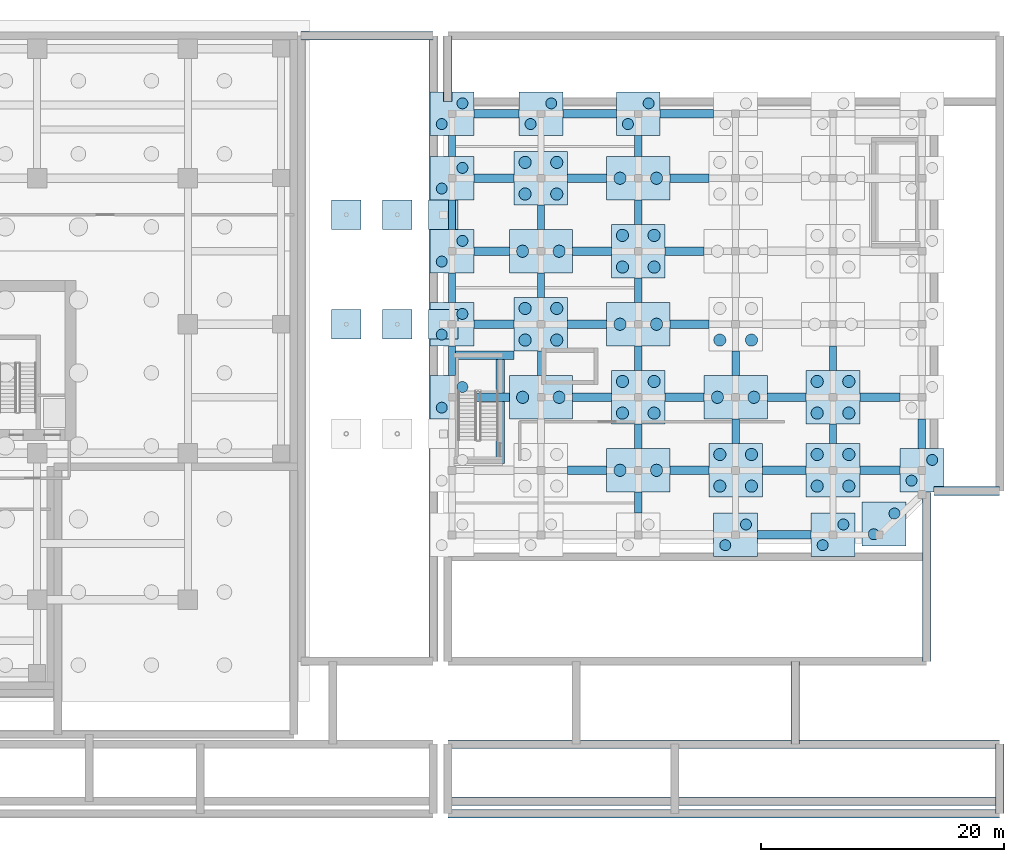
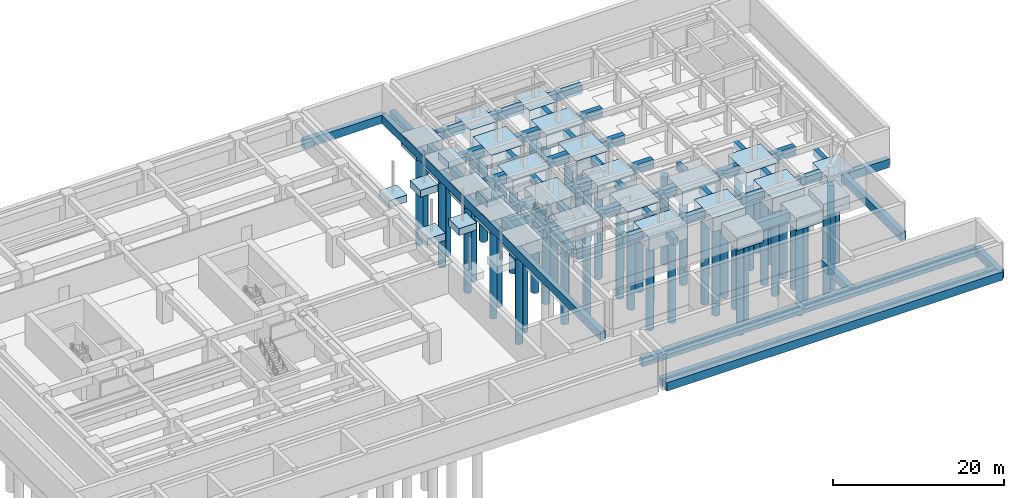
# One storey, part 2 of 14: 82 footings, 64 piles.
"""IFC4 building model written with IfcOpenShell, lengths in metres."""

import ifcopenshell
import ifcopenshell.guid

model = None  # the IFC model being written
_history = None  # IfcOwnerHistory: only IFC2X3 demands one
_inside = {}  # id of a spatial element -> (the spatial element, [elements in it])
_under = {}  # id of a project, library or spatial element -> (it, [spatial elements below it])
_declared = {}  # id of a project -> (the project, [libraries it declares])
_typed = {}  # id of a type object -> (the type object, [elements of that type])
_made_of = {}  # id of a material, layer set ... -> (it, [elements and type objects made of it])


def new_model(schema):
    """Start an empty IFC model of exactly this schema.

    Asked for "IFC4X3", IfcOpenShell would pick the latest addendum, in which some entities
    have other attributes; the version numbers below select the first issue.
    IFC2X3 requires an IfcOwnerHistory on every rooted entity: one is made here for all.
    """
    global model, _history
    if schema == "IFC4X3":
        model = ifcopenshell.file(schema_version=(4, 3, 0, 0))
    else:
        model = ifcopenshell.file(schema=schema)
    _inside.clear()
    _under.clear()
    _declared.clear()
    _typed.clear()
    _made_of.clear()
    _history = None
    if model.schema == "IFC2X3":
        org = make("IfcOrganization", Name="unknown")
        user = make(
            "IfcPersonAndOrganization",
            ThePerson=make("IfcPerson", FamilyName="unknown"),
            TheOrganization=org,
        )
        app = make(
            "IfcApplication",
            ApplicationDeveloper=org,
            Version="unknown",
            ApplicationFullName="unknown",
            ApplicationIdentifier="unknown",
        )
        _history = make(
            "IfcOwnerHistory",
            OwningUser=user,
            OwningApplication=app,
            ChangeAction="ADDED",
            CreationDate=0,
        )
    return model


def make(cls, **values):
    """One entity of the class cls with the attributes given. An attribute that is None is left unset."""
    return model.create_entity(
        cls, **{name: value for name, value in values.items() if value is not None}
    )


def rooted(cls, **values):
    """An entity with a GlobalId (a new one), such as an element, a storey or a relation."""
    return make(cls, GlobalId=ifcopenshell.guid.new(), OwnerHistory=_history, **values)


def si_unit(unit_type, name, prefix=None):
    """IfcSIUnit, for example si_unit("LENGTHUNIT", "METRE", prefix="MILLI")."""
    return make("IfcSIUnit", UnitType=unit_type, Prefix=prefix, Name=name)


def assignment(units):
    """IfcUnitAssignment: the units of a project."""
    return None if units is None else make("IfcUnitAssignment", Units=units)


def point(xyz):
    """IfcCartesianPoint."""
    return None if xyz is None else make("IfcCartesianPoint", Coordinates=xyz)


def direction(xyz):
    """IfcDirection."""
    return None if xyz is None else make("IfcDirection", DirectionRatios=xyz)


def frame(location, z_axis=None, x_axis=None):
    """IfcAxis2Placement3D, a coordinate frame: its origin and axes. An axis left out is left unset."""
    return make(
        "IfcAxis2Placement3D",
        Location=point(location),
        Axis=direction(z_axis),
        RefDirection=direction(x_axis),
    )


def frame_2d(location, x_axis=None):
    """IfcAxis2Placement2D, a coordinate frame in the plane: its origin and x axis."""
    return make(
        "IfcAxis2Placement2D", Location=point(location), RefDirection=direction(x_axis)
    )


def origin():
    """The frame at (0, 0, 0) with its axes left unset."""
    return frame((0.0, 0.0, 0.0))


def origin_2d():
    """The frame at (0, 0) in the plane with its x axis left unset."""
    return frame_2d((0.0, 0.0))


def place(relative_to, where):
    """IfcLocalPlacement: puts the frame where relative to a parent placement (None: the world)."""
    return make(
        "IfcLocalPlacement", PlacementRelTo=relative_to, RelativePlacement=where
    )


def context(
    kind, dimensions, precision=None, world=None, true_north=None, identifier=None
):
    """IfcGeometricRepresentationContext, for example the 3D "Model" context."""
    return make(
        "IfcGeometricRepresentationContext",
        ContextIdentifier=identifier,
        ContextType=kind,
        CoordinateSpaceDimension=dimensions,
        Precision=precision,
        WorldCoordinateSystem=world,
        TrueNorth=true_north,
    )


def subcontext(parent, identifier, kind, view, scale=None):
    """IfcGeometricRepresentationSubContext, for example "Body" below "Model"."""
    return make(
        "IfcGeometricRepresentationSubContext",
        ContextIdentifier=identifier,
        ContextType=kind,
        ParentContext=parent,
        TargetScale=scale,
        TargetView=view,
    )


def project(units=None, contexts=None):
    """IfcProject with its units and contexts."""
    return rooted(
        "IfcProject",
        Name="project",
        RepresentationContexts=contexts,
        UnitsInContext=assignment(units),
    )


def spatial(cls, under=None, at=None, **own):
    """A site, building, storey or space (cls), placed at a placement, below another one or the project."""
    s = rooted(cls, ObjectPlacement=at, **own)
    if under is not None:
        _under.setdefault(under.id(), (under, []))[1].append(s)
    return s


def profile(cls, at=None, kind="AREA", **sizes):
    """A parametric profile (cls). Its sizes go by their IFC names, for example OverallWidth=200.0."""
    return make(cls, ProfileType=kind, Position=at, **sizes)


def rectangle(**sizes):
    """IfcRectangleProfileDef."""
    return profile("IfcRectangleProfileDef", **sizes)


def circle(**sizes):
    """IfcCircleProfileDef."""
    return profile("IfcCircleProfileDef", **sizes)


def extrude(swept, where, along, depth):
    """IfcExtrudedAreaSolid: the profile swept, set in the frame where, extruded along a direction by depth."""
    return make(
        "IfcExtrudedAreaSolid",
        SweptArea=swept,
        Position=where,
        ExtrudedDirection=direction(along),
        Depth=depth,
    )


def shape(context_of_items, identifier, shape_type, items):
    """IfcShapeRepresentation: the items that make up one representation, for example the "Body"."""
    return make(
        "IfcShapeRepresentation",
        ContextOfItems=context_of_items,
        RepresentationIdentifier=identifier,
        RepresentationType=shape_type,
        Items=items,
    )


def source(mapping_origin, context_of_items, identifier, shape_type, items):
    """IfcRepresentationMap: a shape defined once, which mapped items show again and again."""
    return make(
        "IfcRepresentationMap",
        MappingOrigin=mapping_origin,
        MappedRepresentation=shape(context_of_items, identifier, shape_type, items),
    )


def transform(
    local_origin,
    x_axis=None,
    y_axis=None,
    z_axis=None,
    scale=None,
    scale2=None,
    scale3=None,
    uniform=True,
):
    """IfcCartesianTransformationOperator3D, or its non-uniform kind. x_axis, y_axis, z_axis: its Axis1, 2, 3."""
    if uniform:
        return make(
            "IfcCartesianTransformationOperator3D",
            Axis1=direction(x_axis),
            Axis2=direction(y_axis),
            LocalOrigin=point(local_origin),
            Scale=scale,
            Axis3=direction(z_axis),
        )
    return make(
        "IfcCartesianTransformationOperator3DnonUniform",
        Axis1=direction(x_axis),
        Axis2=direction(y_axis),
        LocalOrigin=point(local_origin),
        Scale=scale,
        Axis3=direction(z_axis),
        Scale2=scale2,
        Scale3=scale3,
    )


def mapped(mapping_source, mapping_target):
    """IfcMappedItem: shows the shape of a source again, moved by a transform."""
    return make(
        "IfcMappedItem", MappingSource=mapping_source, MappingTarget=mapping_target
    )


def material(Name=None, Category=None):
    """IfcMaterial."""
    return make("IfcMaterial", Name=Name, Category=Category)


def material_profile(
    of_material, cross_section, Name=None, Category=None, Priority=None
):
    """IfcMaterialProfile: a cross section and its material."""
    return make(
        "IfcMaterialProfile",
        Name=Name,
        Material=of_material,
        Profile=cross_section,
        Priority=Priority,
        Category=Category,
    )


def profile_set(profiles, Name=None, composite=None):
    """IfcMaterialProfileSet."""
    return make(
        "IfcMaterialProfileSet",
        Name=Name,
        MaterialProfiles=profiles,
        CompositeProfile=composite,
    )


def made_of(thing, what):
    """Note that an element or type object is made of a material, layer set ...; save() writes the relation."""
    if what is not None:
        _made_of.setdefault(what.id(), (what, []))[1].append(thing)
    return thing


def type_object(cls, material=None, **own):
    """A type object (cls), such as IfcWallType, which elements share."""
    return made_of(rooted(cls, **own), material)


def element(
    cls,
    number,
    at=None,
    inside=None,
    cuts=None,
    type_object=None,
    material=None,
    context=None,
    identifier="Body",
    shape_type=None,
    held_by="IfcProductDefinitionShape",
    body=None,
    shapes=None,
    **own,
):
    """One element of the class cls, such as IfcWall. Its Tag is "e" and its number.

    at: its placement. inside: the storey or other place that contains it. cuts: it is an
    opening in that element (IfcRelVoidsElement). A single representation is given by context,
    identifier, shape_type and body (its items); several are given by shapes. held_by: the class
    of the entity that holds the representations. save() writes the other relations.
    """
    e = rooted(cls, Tag="e%d" % number, ObjectPlacement=at, **own)
    if body is not None:
        shapes = [shape(context, identifier, shape_type, body)]
    if shapes is not None:
        e.Representation = make(held_by, Representations=shapes)
    if inside is not None:
        _inside.setdefault(inside.id(), (inside, []))[1].append(e)
    if cuts is not None:
        rooted(
            "IfcRelVoidsElement", RelatingBuildingElement=cuts, RelatedOpeningElement=e
        )
    if type_object is not None:
        _typed.setdefault(type_object.id(), (type_object, []))[1].append(e)
    return made_of(e, material)


def aggregate(whole, parts):
    """IfcRelAggregates: a whole, such as a stair, and the parts it consists of."""
    return rooted("IfcRelAggregates", RelatingObject=whole, RelatedObjects=parts)


def save(model, path):
    """Write the relations noted so far, then the file.

    IfcRelAggregates (storeys below a building ...), IfcRelContainedInSpatialStructure (elements
    in a storey), IfcRelDefinesByType, IfcRelAssociatesMaterial and IfcRelDeclares: one each for
    every whole, place, type object, material and project.
    """
    for whole, parts in _under.values():
        aggregate(whole, parts)
    for where, things in _inside.values():
        rooted(
            "IfcRelContainedInSpatialStructure",
            RelatedElements=things,
            RelatingStructure=where,
        )
    for kind, things in _typed.values():
        rooted("IfcRelDefinesByType", RelatedObjects=things, RelatingType=kind)
    for what, things in _made_of.values():
        rooted("IfcRelAssociatesMaterial", RelatedObjects=things, RelatingMaterial=what)
    for by, libraries in _declared.values():
        rooted("IfcRelDeclares", RelatingContext=by, RelatedDefinitions=libraries)
    model.write(path)


model = new_model("IFC4")

# Units and contexts
model_context = context("Model", 3, precision=1e-05, world=origin(), true_north=direction((0.0, 1.0)))
body_context = subcontext(model_context, "Body", "Model", "MODEL_VIEW")
ifc_project = project(units=[si_unit("LENGTHUNIT", "METRE"), si_unit("AREAUNIT", "SQUARE_METRE"), si_unit("VOLUMEUNIT", "CUBIC_METRE"), si_unit("PLANEANGLEUNIT", "RADIAN"), si_unit("MASSUNIT", "GRAM", prefix="KILO")], contexts=[model_context])

# Site, building, storey
site_placement = place(None, origin())
site = spatial("IfcSite", under=ifc_project, at=site_placement, CompositionType="ELEMENT")
building_placement = place(site_placement, origin())
building = spatial("IfcBuilding", under=site, at=building_placement, Name="Khoralis Quay Care Tower", CompositionType="ELEMENT")
storey_placement = place(building_placement, frame((0.0, 0.0, -4.5)))
storey = spatial("IfcBuildingStorey", under=building, at=storey_placement, Name="B1", CompositionType="ELEMENT", Elevation=-4.5)

# Footings
ifc_material = material(Name="Concrete C50/60", Category="concrete")
footing_type_1 = type_object("IfcFootingType", Name="FT-PC-3600", PredefinedType="PILE_CAP", material=ifc_material)
shared_shape_1 = source(origin(), body_context, "Body", "SweptSolid", [
    extrude(rectangle(XDim=3.60009765625, YDim=3.60009765625, at=origin_2d()), origin(), (0.0, 0.0, 1.0), 1.800048828125),
])
for number, where, z_axis, x_axis, name in (
    (1, (68.699951171875, 18.0, -1.7998046875), (0.0, 0.0, 1.0), (1.0, 0.0, 0.0), "School Pile Cap 03"),
    (2, (68.699951171875, 24.0, -1.7998046875), (0.0, 0.0, 1.0), (1.0, 0.0, 0.0), "School Pile Cap 04"),
    (3, (68.699951171875, 30.0, -1.7998046875), (0.0, 0.0, 1.0), (1.0, 0.0, 0.0), "School Pile Cap 05"),
    (4, (68.699951171875, 36.0, -1.7998046875), (0.0, 0.0, 1.0), (1.0, 0.0, 0.0), "School Pile Cap 06"),
    (5, (68.699951171875, 41.300048828125, -1.7998046875), (0.0, 0.0, 1.0), (1.0, 0.0, 0.0), "School Pile Cap 07"),
    (6, (76.0, 41.300048828125, -1.7998046875), (0.0, 0.0, 1.0), (1.0, 0.0, 0.0), "School Pile Cap 14"),
    (7, (84.0, 41.300048828125, -1.7998046875), (0.0, 0.0, 1.0), (1.0, 0.0, 0.0), "School Pile Cap 21"),
    (8, (92.0, 6.699951171875, -1.7998046875), (0.0, 0.0, 1.0), (1.0, 0.0, 0.0), "School Pile Cap 22"),
    (9, (100.0, 6.699951171875, -1.7998046875), (0.0, 0.0, 1.0), (1.0, 0.0, 0.0), "School Pile Cap 29"),
    (10, (104.199951171875, 7.60009765625, -1.7998046875), (0.0, 0.0, 1.0), (1.0, 0.0, 0.0), "School Pile Cap 36"),
    (11, (107.300048828125, 12.0, -1.7998046875), (0.0, 0.0, 1.0), (1.0, 0.0, 0.0), "School Pile Cap 37"),
):
    element("IfcFooting", number, at=place(storey_placement, frame(where, z_axis=z_axis, x_axis=x_axis)), inside=storey, type_object=footing_type_1, Name=name, PredefinedType="PILE_CAP", context=body_context, shape_type="MappedRepresentation", body=[
        mapped(shared_shape_1, transform((0.0, 0.0, 0.0), scale=1.0)),
    ])

# Piles
ifc_material_profile_1 = material_profile(ifc_material, circle(Radius=0.449951171875, at=origin_2d()), Name="Concrete C50/60")
ifc_profile_set_1 = profile_set([ifc_material_profile_1], Name="Concrete C50/60")
pile_type_1 = type_object("IfcPileType", Name="PL-BORED-900", PredefinedType="BORED", material=ifc_profile_set_1)
shared_shape_2 = source(origin(), body_context, "Body", "SweptSolid", [
    extrude(circle(Radius=0.449951171875, at=origin_2d()), origin(), (0.0, 0.0, 1.0), 12.800048828125),
])
for number, where, z_axis, x_axis, name in (
    (12, (67.85009765625, 17.14990234375, -1.699951171875), (0.0, 0.0, -1.0), (1.0, 0.0, 0.0), "School Bored Pile 005"),
    (13, (69.550048828125, 18.85009765625, -1.699951171875), (0.0, 0.0, -1.0), (1.0, 0.0, 0.0), "School Bored Pile 006"),
    (14, (67.85009765625, 23.14990234375, -1.699951171875), (0.0, 0.0, -1.0), (1.0, 0.0, 0.0), "School Bored Pile 007"),
    (15, (69.550048828125, 24.85009765625, -1.699951171875), (0.0, 0.0, -1.0), (1.0, 0.0, 0.0), "School Bored Pile 008"),
    (16, (67.85009765625, 29.14990234375, -1.699951171875), (0.0, 0.0, -1.0), (1.0, 0.0, 0.0), "School Bored Pile 009"),
    (17, (69.550048828125, 30.85009765625, -1.699951171875), (0.0, 0.0, -1.0), (1.0, 0.0, 0.0), "School Bored Pile 010"),
    (18, (67.85009765625, 35.14990234375, -1.699951171875), (0.0, 0.0, -1.0), (1.0, 0.0, 0.0), "School Bored Pile 011"),
    (19, (69.550048828125, 36.85009765625, -1.699951171875), (0.0, 0.0, -1.0), (1.0, 0.0, 0.0), "School Bored Pile 012"),
    (20, (67.85009765625, 40.449951171875, -1.699951171875), (0.0, 0.0, -1.0), (1.0, 0.0, 0.0), "School Bored Pile 013"),
    (21, (69.550048828125, 42.14990234375, -1.699951171875), (0.0, 0.0, -1.0), (1.0, 0.0, 0.0), "School Bored Pile 014"),
    (22, (75.14990234375, 40.449951171875, -1.699951171875), (0.0, 0.0, -1.0), (1.0, 0.0, 0.0), "School Bored Pile 033"),
    (23, (76.85009765625, 42.14990234375, -1.699951171875), (0.0, 0.0, -1.0), (1.0, 0.0, 0.0), "School Bored Pile 034"),
    (24, (83.14990234375, 40.449951171875, -1.699951171875), (0.0, 0.0, -1.0), (1.0, 0.0, 0.0), "School Bored Pile 051"),
    (25, (84.85009765625, 42.14990234375, -1.699951171875), (0.0, 0.0, -1.0), (1.0, 0.0, 0.0), "School Bored Pile 052"),
    (26, (91.14990234375, 5.85009765625, -1.699951171875), (0.0, 0.0, -1.0), (1.0, 0.0, 0.0), "School Bored Pile 053"),
    (27, (92.85009765625, 7.550048828125, -1.699951171875), (0.0, 0.0, -1.0), (1.0, 0.0, 0.0), "School Bored Pile 054"),
    (28, (99.14990234375, 5.85009765625, -1.699951171875), (0.0, 0.0, -1.0), (1.0, 0.0, 0.0), "School Bored Pile 073"),
    (29, (100.85009765625, 7.550048828125, -1.699951171875), (0.0, 0.0, -1.0), (1.0, 0.0, 0.0), "School Bored Pile 074"),
    (30, (103.35009765625, 6.75, -1.699951171875), (0.0, 0.0, -1.0), (1.0, 0.0, 0.0), "School Bored Pile 093"),
    (31, (105.050048828125, 8.449951171875, -1.699951171875), (0.0, 0.0, -1.0), (1.0, 0.0, 0.0), "School Bored Pile 094"),
    (32, (106.449951171875, 11.14990234375, -1.699951171875), (0.0, 0.0, -1.0), (1.0, 0.0, 0.0), "School Bored Pile 095"),
    (33, (108.14990234375, 12.85009765625, -1.699951171875), (0.0, 0.0, -1.0), (1.0, 0.0, 0.0), "School Bored Pile 096"),
):
    element("IfcPile", number, at=place(storey_placement, frame(where, z_axis=z_axis, x_axis=x_axis)), inside=storey, type_object=pile_type_1, Name=name, PredefinedType="BORED", context=body_context, shape_type="MappedRepresentation", body=[
        mapped(shared_shape_2, transform((0.0, 0.0, 0.0), scale=1.0)),
    ])

# Footings
footing_type_2 = type_object("IfcFootingType", Name="FT-PC-4400", PredefinedType="PILE_CAP", material=ifc_material)
shared_shape_3 = source(origin(), body_context, "Body", "SweptSolid", [
    extrude(rectangle(XDim=4.39990234375, YDim=4.39990234375, at=origin_2d()), origin(), (0.0, 0.0, 1.0), 2.0),
])
for number, where, z_axis, x_axis, name in (
    (34, (76.0, 24.0, -2.0), (0.0, 0.0, 1.0), (1.0, 0.0, 0.0), "School Pile Cap 11"),
    (35, (76.0, 36.0, -2.0), (0.0, 0.0, 1.0), (1.0, 0.0, 0.0), "School Pile Cap 13"),
    (36, (84.0, 18.0, -2.0), (0.0, 0.0, 1.0), (1.0, 0.0, 0.0), "School Pile Cap 17"),
    (37, (84.0, 30.0, -2.0), (0.0, 0.0, 1.0), (1.0, 0.0, 0.0), "School Pile Cap 19"),
    (38, (92.0, 12.0, -2.0), (0.0, 0.0, 1.0), (1.0, 0.0, 0.0), "School Pile Cap 23"),
    (39, (100.0, 12.0, -2.0), (0.0, 0.0, 1.0), (1.0, 0.0, 0.0), "School Pile Cap 30"),
    (40, (100.0, 18.0, -2.0), (0.0, 0.0, 1.0), (1.0, 0.0, 0.0), "School Pile Cap 31"),
):
    element("IfcFooting", number, at=place(storey_placement, frame(where, z_axis=z_axis, x_axis=x_axis)), inside=storey, type_object=footing_type_2, Name=name, PredefinedType="PILE_CAP", context=body_context, shape_type="MappedRepresentation", body=[
        mapped(shared_shape_3, transform((0.0, 0.0, 0.0), scale=1.0)),
    ])

# Piles
ifc_material_profile_2 = material_profile(ifc_material, circle(Radius=0.5, at=origin_2d()), Name="Concrete C50/60")
ifc_profile_set_2 = profile_set([ifc_material_profile_2], Name="Concrete C50/60")
pile_type_2 = type_object("IfcPileType", Name="PL-BORED-1000", PredefinedType="BORED", material=ifc_profile_set_2)
shared_shape_4 = source(origin(), body_context, "Body", "SweptSolid", [
    extrude(circle(Radius=0.5, at=origin_2d()), origin(), (0.0, 0.0, 1.0), 12.60009765625),
])
for number, where, z_axis, x_axis, name in (
    (41, (74.5, 18.0, -1.89990234375), (0.0, 0.0, -1.0), (1.0, 0.0, 0.0), "School Bored Pile 021"),
    (42, (77.5, 18.0, -1.89990234375), (0.0, 0.0, -1.0), (1.0, 0.0, 0.0), "School Bored Pile 022"),
    (43, (74.699951171875, 22.699951171875, -1.89990234375), (0.0, 0.0, -1.0), (1.0, 0.0, 0.0), "School Bored Pile 023"),
    (44, (77.300048828125, 22.699951171875, -1.89990234375), (0.0, 0.0, -1.0), (1.0, 0.0, 0.0), "School Bored Pile 024"),
    (45, (74.699951171875, 25.300048828125, -1.89990234375), (0.0, 0.0, -1.0), (1.0, 0.0, 0.0), "School Bored Pile 025"),
    (46, (77.300048828125, 25.300048828125, -1.89990234375), (0.0, 0.0, -1.0), (1.0, 0.0, 0.0), "School Bored Pile 026"),
    (47, (74.5, 30.0, -1.89990234375), (0.0, 0.0, -1.0), (1.0, 0.0, 0.0), "School Bored Pile 027"),
    (48, (77.5, 30.0, -1.89990234375), (0.0, 0.0, -1.0), (1.0, 0.0, 0.0), "School Bored Pile 028"),
    (49, (74.699951171875, 34.699951171875, -1.89990234375), (0.0, 0.0, -1.0), (1.0, 0.0, 0.0), "School Bored Pile 029"),
    (50, (77.300048828125, 34.699951171875, -1.89990234375), (0.0, 0.0, -1.0), (1.0, 0.0, 0.0), "School Bored Pile 030"),
    (51, (74.699951171875, 37.300048828125, -1.89990234375), (0.0, 0.0, -1.0), (1.0, 0.0, 0.0), "School Bored Pile 031"),
    (52, (77.300048828125, 37.300048828125, -1.89990234375), (0.0, 0.0, -1.0), (1.0, 0.0, 0.0), "School Bored Pile 032"),
    (53, (82.5, 12.0, -1.89990234375), (0.0, 0.0, -1.0), (1.0, 0.0, 0.0), "School Bored Pile 037"),
    (54, (85.5, 12.0, -1.89990234375), (0.0, 0.0, -1.0), (1.0, 0.0, 0.0), "School Bored Pile 038"),
    (55, (82.699951171875, 16.699951171875, -1.89990234375), (0.0, 0.0, -1.0), (1.0, 0.0, 0.0), "School Bored Pile 039"),
    (56, (85.300048828125, 16.699951171875, -1.89990234375), (0.0, 0.0, -1.0), (1.0, 0.0, 0.0), "School Bored Pile 040"),
    (57, (82.699951171875, 19.300048828125, -1.89990234375), (0.0, 0.0, -1.0), (1.0, 0.0, 0.0), "School Bored Pile 041"),
    (58, (85.300048828125, 19.300048828125, -1.89990234375), (0.0, 0.0, -1.0), (1.0, 0.0, 0.0), "School Bored Pile 042"),
    (59, (82.5, 24.0, -1.89990234375), (0.0, 0.0, -1.0), (1.0, 0.0, 0.0), "School Bored Pile 043"),
    (60, (85.5, 24.0, -1.89990234375), (0.0, 0.0, -1.0), (1.0, 0.0, 0.0), "School Bored Pile 044"),
    (61, (82.699951171875, 28.699951171875, -1.89990234375), (0.0, 0.0, -1.0), (1.0, 0.0, 0.0), "School Bored Pile 045"),
    (62, (85.300048828125, 28.699951171875, -1.89990234375), (0.0, 0.0, -1.0), (1.0, 0.0, 0.0), "School Bored Pile 046"),
    (63, (82.699951171875, 31.300048828125, -1.89990234375), (0.0, 0.0, -1.0), (1.0, 0.0, 0.0), "School Bored Pile 047"),
    (64, (85.300048828125, 31.300048828125, -1.89990234375), (0.0, 0.0, -1.0), (1.0, 0.0, 0.0), "School Bored Pile 048"),
    (65, (82.5, 36.0, -1.89990234375), (0.0, 0.0, -1.0), (1.0, 0.0, 0.0), "School Bored Pile 049"),
    (66, (85.5, 36.0, -1.89990234375), (0.0, 0.0, -1.0), (1.0, 0.0, 0.0), "School Bored Pile 050"),
    (67, (90.699951171875, 10.699951171875, -1.89990234375), (0.0, 0.0, -1.0), (1.0, 0.0, 0.0), "School Bored Pile 055"),
    (68, (93.300048828125, 10.699951171875, -1.89990234375), (0.0, 0.0, -1.0), (1.0, 0.0, 0.0), "School Bored Pile 056"),
    (69, (90.699951171875, 13.300048828125, -1.89990234375), (0.0, 0.0, -1.0), (1.0, 0.0, 0.0), "School Bored Pile 057"),
    (70, (93.300048828125, 13.300048828125, -1.89990234375), (0.0, 0.0, -1.0), (1.0, 0.0, 0.0), "School Bored Pile 058"),
    (71, (90.5, 18.0, -1.89990234375), (0.0, 0.0, -1.0), (1.0, 0.0, 0.0), "School Bored Pile 059"),
    (72, (93.5, 18.0, -1.89990234375), (0.0, 0.0, -1.0), (1.0, 0.0, 0.0), "School Bored Pile 060"),
    (73, (90.699951171875, 22.699951171875, -1.89990234375), (0.0, 0.0, -1.0), (1.0, 0.0, 0.0), "School Bored Pile 061"),
    (74, (93.300048828125, 22.699951171875, -1.89990234375), (0.0, 0.0, -1.0), (1.0, 0.0, 0.0), "School Bored Pile 062"),
    (75, (98.699951171875, 10.699951171875, -1.89990234375), (0.0, 0.0, -1.0), (1.0, 0.0, 0.0), "School Bored Pile 075"),
    (76, (101.300048828125, 10.699951171875, -1.89990234375), (0.0, 0.0, -1.0), (1.0, 0.0, 0.0), "School Bored Pile 076"),
    (77, (98.699951171875, 13.300048828125, -1.89990234375), (0.0, 0.0, -1.0), (1.0, 0.0, 0.0), "School Bored Pile 077"),
    (78, (101.300048828125, 13.300048828125, -1.89990234375), (0.0, 0.0, -1.0), (1.0, 0.0, 0.0), "School Bored Pile 078"),
    (79, (98.699951171875, 16.699951171875, -1.89990234375), (0.0, 0.0, -1.0), (1.0, 0.0, 0.0), "School Bored Pile 079"),
    (80, (101.300048828125, 16.699951171875, -1.89990234375), (0.0, 0.0, -1.0), (1.0, 0.0, 0.0), "School Bored Pile 080"),
    (81, (98.699951171875, 19.300048828125, -1.89990234375), (0.0, 0.0, -1.0), (1.0, 0.0, 0.0), "School Bored Pile 081"),
    (82, (101.300048828125, 19.300048828125, -1.89990234375), (0.0, 0.0, -1.0), (1.0, 0.0, 0.0), "School Bored Pile 082"),
):
    element("IfcPile", number, at=place(storey_placement, frame(where, z_axis=z_axis, x_axis=x_axis)), inside=storey, type_object=pile_type_2, Name=name, PredefinedType="BORED", context=body_context, shape_type="MappedRepresentation", body=[
        mapped(shared_shape_4, transform((0.0, 0.0, 0.0), scale=1.0)),
    ])

# Footings
footing_type_3 = type_object("IfcFootingType", Name="FT-PC-5200X3600", PredefinedType="PILE_CAP", material=ifc_material)
shared_shape_5 = source(origin(), body_context, "Body", "SweptSolid", [
    extrude(rectangle(XDim=5.199951171875, YDim=3.60009765625, at=origin_2d()), origin(), (0.0, 0.0, 1.0), 2.0),
])
for number, where, z_axis, x_axis, name in (
    (83, (76.0, 18.0, -2.0), (0.0, 0.0, 1.0), (1.0, 0.0, 0.0), "School Pile Cap 10"),
    (84, (76.0, 30.0, -2.0), (0.0, 0.0, 1.0), (1.0, 0.0, 0.0), "School Pile Cap 12"),
    (85, (84.0, 12.0, -2.0), (0.0, 0.0, 1.0), (1.0, 0.0, 0.0), "School Pile Cap 16"),
    (86, (84.0, 24.0, -2.0), (0.0, 0.0, 1.0), (1.0, 0.0, 0.0), "School Pile Cap 18"),
    (87, (84.0, 36.0, -2.0), (0.0, 0.0, 1.0), (1.0, 0.0, 0.0), "School Pile Cap 20"),
    (88, (92.0, 18.0, -2.0), (0.0, 0.0, 1.0), (1.0, 0.0, 0.0), "School Pile Cap 24"),
):
    element("IfcFooting", number, at=place(storey_placement, frame(where, z_axis=z_axis, x_axis=x_axis)), inside=storey, type_object=footing_type_3, Name=name, PredefinedType="PILE_CAP", context=body_context, shape_type="MappedRepresentation", body=[
        mapped(shared_shape_5, transform((0.0, 0.0, 0.0), scale=1.0)),
    ])
ifc_material_profile_3 = material_profile(ifc_material, rectangle(XDim=0.699951171875, YDim=1.199951171875, at=origin_2d()), Name="Concrete C50/60")
ifc_profile_set_3 = profile_set([ifc_material_profile_3], Name="Concrete C50/60")
footing_type_4 = type_object("IfcFootingType", Name="FT-GB-700X1200", PredefinedType="FOOTING_BEAM", material=ifc_profile_set_3)
shared_shape_6 = source(origin(), body_context, "Body", "SweptSolid", [
    extrude(rectangle(XDim=0.699951171875, YDim=1.199951171875, at=origin_2d()), origin(), (0.0, 0.0, 1.0), 3.699951171875),
])
footing_1_placement = place(storey_placement, frame((70.5, 41.300048828125, -0.60009765625), z_axis=(1.0, 0.0, 0.0), x_axis=(0.0, 1.0, 0.0)))
element("IfcFooting", 89, at=footing_1_placement, inside=storey, type_object=footing_type_4, Name="School Longitudinal Ground Beam 030", PredefinedType="FOOTING_BEAM", context=body_context, shape_type="MappedRepresentation", body=[
    mapped(shared_shape_6, transform((0.0, 0.0, 0.0), scale=1.0)),
])
shared_shape_7 = source(origin(), body_context, "Body", "SweptSolid", [
    extrude(rectangle(XDim=0.699951171875, YDim=1.199951171875, at=origin_2d()), origin(), (0.0, 0.0, 1.0), 4.39990234375),
])
for number, where, z_axis, x_axis, name in (
    (90, (93.800048828125, 6.699951171875, -0.60009765625), (1.0, 0.0, 0.0), (0.0, 1.0, 0.0), "School Longitudinal Ground Beam 004"),
    (91, (77.800048828125, 41.300048828125, -0.60009765625), (1.0, 0.0, 0.0), (0.0, 1.0, 0.0), "School Longitudinal Ground Beam 031"),
    (92, (85.800048828125, 41.300048828125, -0.60009765625), (1.0, 0.0, 0.0), (0.0, 1.0, 0.0), "School Longitudinal Ground Beam 032"),
):
    element("IfcFooting", number, at=place(storey_placement, frame(where, z_axis=z_axis, x_axis=x_axis)), inside=storey, type_object=footing_type_4, Name=name, PredefinedType="FOOTING_BEAM", context=body_context, shape_type="MappedRepresentation", body=[
        mapped(shared_shape_7, transform((0.0, 0.0, 0.0), scale=1.0)),
    ])
shared_shape_8 = source(origin(), body_context, "Body", "SweptSolid", [
    extrude(rectangle(XDim=0.699951171875, YDim=1.199951171875, at=origin_2d()), origin(), (0.0, 0.0, 1.0), 3.300048828125),
])
for number, where, z_axis, x_axis, name in (
    (93, (102.199951171875, 12.0, -0.60009765625), (1.0, 0.0, 0.0), (0.0, 1.0, 0.0), "School Longitudinal Ground Beam 009"),
    (94, (102.199951171875, 18.0, -0.60009765625), (1.0, 0.0, 0.0), (0.0, 1.0, 0.0), "School Longitudinal Ground Beam 014"),
    (95, (70.5, 24.0, -0.60009765625), (1.0, 0.0, 0.0), (0.0, 1.0, 0.0), "School Longitudinal Ground Beam 015"),
    (96, (70.5, 36.0, -0.60009765625), (1.0, 0.0, 0.0), (0.0, 1.0, 0.0), "School Longitudinal Ground Beam 025"),
):
    element("IfcFooting", number, at=place(storey_placement, frame(where, z_axis=z_axis, x_axis=x_axis)), inside=storey, type_object=footing_type_4, Name=name, PredefinedType="FOOTING_BEAM", context=body_context, shape_type="MappedRepresentation", body=[
        mapped(shared_shape_8, transform((0.0, 0.0, 0.0), scale=1.0)),
    ])
shared_shape_9 = source(origin(), body_context, "Body", "SweptSolid", [
    extrude(rectangle(XDim=0.699951171875, YDim=1.199951171875, at=origin_2d()), origin(), (0.0, 0.0, 1.0), 3.199951171875),
])
for number, where, z_axis, x_axis, name in (
    (97, (78.199951171875, 12.0, -0.60009765625), (1.0, 0.0, 0.0), (0.0, 1.0, 0.0), "School Longitudinal Ground Beam 006"),
    (98, (86.60009765625, 12.0, -0.60009765625), (1.0, 0.0, 0.0), (0.0, 1.0, 0.0), "School Longitudinal Ground Beam 007"),
    (99, (78.60009765625, 18.0, -0.60009765625), (1.0, 0.0, 0.0), (0.0, 1.0, 0.0), "School Longitudinal Ground Beam 011"),
    (100, (86.199951171875, 18.0, -0.60009765625), (1.0, 0.0, 0.0), (0.0, 1.0, 0.0), "School Longitudinal Ground Beam 012"),
    (101, (94.60009765625, 18.0, -0.60009765625), (1.0, 0.0, 0.0), (0.0, 1.0, 0.0), "School Longitudinal Ground Beam 013"),
    (102, (78.199951171875, 24.0, -0.60009765625), (1.0, 0.0, 0.0), (0.0, 1.0, 0.0), "School Longitudinal Ground Beam 016"),
    (103, (86.60009765625, 24.0, -0.60009765625), (1.0, 0.0, 0.0), (0.0, 1.0, 0.0), "School Longitudinal Ground Beam 017"),
    (104, (78.60009765625, 30.0, -0.60009765625), (1.0, 0.0, 0.0), (0.0, 1.0, 0.0), "School Longitudinal Ground Beam 021"),
    (105, (86.199951171875, 30.0, -0.60009765625), (1.0, 0.0, 0.0), (0.0, 1.0, 0.0), "School Longitudinal Ground Beam 022"),
    (106, (78.199951171875, 36.0, -0.60009765625), (1.0, 0.0, 0.0), (0.0, 1.0, 0.0), "School Longitudinal Ground Beam 026"),
    (107, (86.60009765625, 36.0, -0.60009765625), (1.0, 0.0, 0.0), (0.0, 1.0, 0.0), "School Longitudinal Ground Beam 027"),
):
    element("IfcFooting", number, at=place(storey_placement, frame(where, z_axis=z_axis, x_axis=x_axis)), inside=storey, type_object=footing_type_4, Name=name, PredefinedType="FOOTING_BEAM", context=body_context, shape_type="MappedRepresentation", body=[
        mapped(shared_shape_9, transform((0.0, 0.0, 0.0), scale=1.0)),
    ])
shared_shape_10 = source(origin(), body_context, "Body", "SweptSolid", [
    extrude(rectangle(XDim=0.699951171875, YDim=1.199951171875, at=origin_2d()), origin(), (0.0, 0.0, 1.0), 3.60009765625),
])
footing_2_placement = place(storey_placement, frame((94.199951171875, 12.0, -0.60009765625), z_axis=(1.0, 0.0, 0.0), x_axis=(0.0, 1.0, 0.0)))
element("IfcFooting", 108, at=footing_2_placement, inside=storey, type_object=footing_type_4, Name="School Longitudinal Ground Beam 008", PredefinedType="FOOTING_BEAM", context=body_context, shape_type="MappedRepresentation", body=[
    mapped(shared_shape_10, transform((0.0, 0.0, 0.0), scale=1.0)),
])
shared_shape_11 = source(origin(), body_context, "Body", "SweptSolid", [
    extrude(rectangle(XDim=0.699951171875, YDim=1.199951171875, at=origin_2d()), origin(), (0.0, 0.0, 1.0), 2.89990234375),
])
for number, where, z_axis, x_axis, name in (
    (109, (70.5, 18.0, -0.60009765625), (1.0, 0.0, 0.0), (0.0, 1.0, 0.0), "School Longitudinal Ground Beam 010"),
    (110, (70.5, 30.0, -0.60009765625), (1.0, 0.0, 0.0), (0.0, 1.0, 0.0), "School Longitudinal Ground Beam 020"),
):
    element("IfcFooting", number, at=place(storey_placement, frame(where, z_axis=z_axis, x_axis=x_axis)), inside=storey, type_object=footing_type_4, Name=name, PredefinedType="FOOTING_BEAM", context=body_context, shape_type="MappedRepresentation", body=[
        mapped(shared_shape_11, transform((0.0, 0.0, 0.0), scale=1.0)),
    ])
ifc_material_profile_4 = material_profile(ifc_material, rectangle(XDim=0.60009765625, YDim=1.0, at=origin_2d()), Name="Concrete C50/60")
ifc_profile_set_4 = profile_set([ifc_material_profile_4], Name="Concrete C50/60")
footing_type_5 = type_object("IfcFootingType", Name="FT-GB-600X1000", PredefinedType="FOOTING_BEAM", material=ifc_profile_set_4)
shared_shape_12 = source(origin(), body_context, "Body", "SweptSolid", [
    extrude(rectangle(XDim=0.60009765625, YDim=1.0, at=origin_2d()), origin(), (0.0, 0.0, 1.0), 1.699951171875),
])
for number, where, z_axis, x_axis, name in (
    (111, (68.699951171875, 37.800048828125, -0.5), (0.0, 1.0, 0.0), (-1.0, 0.0, 0.0), "School Transverse Ground Beam 040"),
    (112, (84.0, 8.5, -0.5), (0.0, 1.0, 0.0), (-1.0, 0.0, 0.0), "School Transverse Ground Beam 045"),
    (113, (84.0, 37.800048828125, -0.5), (0.0, 1.0, 0.0), (-1.0, 0.0, 0.0), "School Transverse Ground Beam 050"),
):
    element("IfcFooting", number, at=place(storey_placement, frame(where, z_axis=z_axis, x_axis=x_axis)), inside=storey, type_object=footing_type_5, Name=name, PredefinedType="FOOTING_BEAM", context=body_context, shape_type="MappedRepresentation", body=[
        mapped(shared_shape_12, transform((0.0, 0.0, 0.0), scale=1.0)),
    ])
shared_shape_13 = source(origin(), body_context, "Body", "SweptSolid", [
    extrude(rectangle(XDim=0.60009765625, YDim=1.0, at=origin_2d()), origin(), (0.0, 0.0, 1.0), 2.39990234375),
])
for number, where, z_axis, x_axis, name in (
    (114, (68.699951171875, 19.800048828125, -0.5), (0.0, 1.0, 0.0), (-1.0, 0.0, 0.0), "School Transverse Ground Beam 037"),
    (115, (68.699951171875, 25.800048828125, -0.5), (0.0, 1.0, 0.0), (-1.0, 0.0, 0.0), "School Transverse Ground Beam 038"),
    (116, (68.699951171875, 31.800048828125, -0.5), (0.0, 1.0, 0.0), (-1.0, 0.0, 0.0), "School Transverse Ground Beam 039"),
    (117, (107.300048828125, 13.800048828125, -0.5), (0.0, 1.0, 0.0), (-1.0, 0.0, 0.0), "School Transverse Ground Beam 060"),
):
    element("IfcFooting", number, at=place(storey_placement, frame(where, z_axis=z_axis, x_axis=x_axis)), inside=storey, type_object=footing_type_5, Name=name, PredefinedType="FOOTING_BEAM", context=body_context, shape_type="MappedRepresentation", body=[
        mapped(shared_shape_13, transform((0.0, 0.0, 0.0), scale=1.0)),
    ])
shared_shape_14 = source(origin(), body_context, "Body", "SweptSolid", [
    extrude(rectangle(XDim=0.60009765625, YDim=1.0, at=origin_2d()), origin(), (0.0, 0.0, 1.0), 2.0),
])
for number, where, z_axis, x_axis, name in (
    (118, (76.0, 19.800048828125, -0.5), (0.0, 1.0, 0.0), (-1.0, 0.0, 0.0), "School Transverse Ground Beam 042"),
    (119, (76.0, 26.199951171875, -0.5), (0.0, 1.0, 0.0), (-1.0, 0.0, 0.0), "School Transverse Ground Beam 043"),
    (120, (76.0, 31.800048828125, -0.5), (0.0, 1.0, 0.0), (-1.0, 0.0, 0.0), "School Transverse Ground Beam 044"),
    (121, (84.0, 13.800048828125, -0.5), (0.0, 1.0, 0.0), (-1.0, 0.0, 0.0), "School Transverse Ground Beam 046"),
    (122, (84.0, 20.199951171875, -0.5), (0.0, 1.0, 0.0), (-1.0, 0.0, 0.0), "School Transverse Ground Beam 047"),
    (123, (84.0, 25.800048828125, -0.5), (0.0, 1.0, 0.0), (-1.0, 0.0, 0.0), "School Transverse Ground Beam 048"),
    (124, (84.0, 32.199951171875, -0.5), (0.0, 1.0, 0.0), (-1.0, 0.0, 0.0), "School Transverse Ground Beam 049"),
    (125, (92.0, 14.199951171875, -0.5), (0.0, 1.0, 0.0), (-1.0, 0.0, 0.0), "School Transverse Ground Beam 051"),
    (126, (92.0, 19.800048828125, -0.5), (0.0, 1.0, 0.0), (-1.0, 0.0, 0.0), "School Transverse Ground Beam 052"),
    (127, (100.0, 20.199951171875, -0.5), (0.0, 1.0, 0.0), (-1.0, 0.0, 0.0), "School Transverse Ground Beam 056"),
):
    element("IfcFooting", number, at=place(storey_placement, frame(where, z_axis=z_axis, x_axis=x_axis)), inside=storey, type_object=footing_type_5, Name=name, PredefinedType="FOOTING_BEAM", context=body_context, shape_type="MappedRepresentation", body=[
        mapped(shared_shape_14, transform((0.0, 0.0, 0.0), scale=1.0)),
    ])
shared_shape_15 = source(origin(), body_context, "Body", "SweptSolid", [
    extrude(rectangle(XDim=0.60009765625, YDim=1.0, at=origin_2d()), origin(), (0.0, 0.0, 1.0), 1.60009765625),
])
footing_3_placement = place(storey_placement, frame((100.0, 14.199951171875, -0.5), z_axis=(0.0, 1.0, 0.0), x_axis=(-1.0, 0.0, 0.0)))
element("IfcFooting", 128, at=footing_3_placement, inside=storey, type_object=footing_type_5, Name="School Transverse Ground Beam 055", PredefinedType="FOOTING_BEAM", context=body_context, shape_type="MappedRepresentation", body=[
    mapped(shared_shape_15, transform((0.0, 0.0, 0.0), scale=1.0)),
])
footing_type_6 = type_object("IfcFootingType", Name="FT-PAD-2400", PredefinedType="PAD_FOOTING", material=ifc_material)
shared_shape_16 = source(origin(), body_context, "Body", "SweptSolid", [
    extrude(rectangle(XDim=2.39990234375, YDim=2.39990234375, at=origin_2d()), origin(), (0.0, 0.0, 1.0), 1.0),
])
for number, where, z_axis, x_axis, name in (
    (129, (60.0, 24.0, -1.0), (0.0, 0.0, 1.0), (1.0, 0.0, 0.0), "Plaza Link Canopy Pad Footing 02"),
    (130, (60.0, 33.0, -1.0), (0.0, 0.0, 1.0), (1.0, 0.0, 0.0), "Plaza Link Canopy Pad Footing 03"),
    (131, (64.199951171875, 24.0, -1.0), (0.0, 0.0, 1.0), (1.0, 0.0, 0.0), "Plaza Link Canopy Pad Footing 05"),
    (132, (64.199951171875, 33.0, -1.0), (0.0, 0.0, 1.0), (1.0, 0.0, 0.0), "Plaza Link Canopy Pad Footing 06"),
    (133, (67.97998046875, 24.0, 1.699951171875), (0.0, 0.0, 1.0), (1.0, 0.0, 0.0), "Movement Joint Grade Bearing Seat Plinth 2"),
    (134, (67.97998046875, 33.0, 1.699951171875), (0.0, 0.0, 1.0), (1.0, 0.0, 0.0), "Movement Joint Grade Bearing Seat Plinth 3"),
):
    element("IfcFooting", number, at=place(storey_placement, frame(where, z_axis=z_axis, x_axis=x_axis)), inside=storey, type_object=footing_type_6, Name=name, PredefinedType="PAD_FOOTING", context=body_context, shape_type="MappedRepresentation", body=[
        mapped(shared_shape_16, transform((0.0, 0.0, 0.0), scale=1.0)),
    ])
shared_shape_17 = source(origin(), body_context, "Body", "SweptSolid", [
    extrude(rectangle(XDim=0.699951171875, YDim=1.199951171875, at=origin_2d()), origin(), (0.0, 0.0, 1.0), 6.800048828125),
])
footing_4_placement = place(storey_placement, frame((96.89990234375, -10.5, -0.60400390625), z_axis=(0.0, 1.0, 0.0), x_axis=(-1.0, 0.0, 0.0)))
element("IfcFooting", 135, at=footing_4_placement, inside=storey, type_object=footing_type_4, Name="Quay Substructure Strip Footing Beam 6", PredefinedType="FOOTING_BEAM", context=body_context, shape_type="MappedRepresentation", body=[
    mapped(shared_shape_17, transform((0.0, 0.0, 0.0), scale=1.0)),
])
shared_shape_18 = source(origin(), body_context, "Body", "SweptSolid", [
    extrude(rectangle(XDim=0.699951171875, YDim=1.199951171875, at=origin_2d()), origin(), (0.0, 0.0, 1.0), 51.39990234375),
])
footing_5_placement = place(storey_placement, frame((67.14990234375, -3.699951171875, -0.60400390625), z_axis=(0.0, 1.0, 0.0), x_axis=(-1.0, 0.0, 0.0)))
element("IfcFooting", 136, at=footing_5_placement, inside=storey, type_object=footing_type_4, Name="Quay Substructure Strip Footing Beam 15", PredefinedType="FOOTING_BEAM", context=body_context, shape_type="MappedRepresentation", body=[
    mapped(shared_shape_18, transform((0.0, 0.0, 0.0), scale=1.0)),
])
shared_shape_19 = source(origin(), body_context, "Body", "SweptSolid", [
    extrude(rectangle(XDim=0.699951171875, YDim=1.199951171875, at=origin_2d()), origin(), (0.0, 0.0, 1.0), 10.849853515625),
])
footing_6_placement = place(storey_placement, frame((56.300048828125, 47.699951171875, -0.60400390625), z_axis=(1.0, 0.0, 0.0), x_axis=(0.0, 1.0, 0.0)))
element("IfcFooting", 137, at=footing_6_placement, inside=storey, type_object=footing_type_4, Name="Quay Substructure Strip Footing Beam 17", PredefinedType="FOOTING_BEAM", context=body_context, shape_type="MappedRepresentation", body=[
    mapped(shared_shape_19, transform((0.0, 0.0, 0.0), scale=1.0)),
])
shared_shape_20 = source(origin(), body_context, "Body", "SweptSolid", [
    extrude(rectangle(XDim=0.699951171875, YDim=1.199951171875, at=origin_2d()), origin(), (0.0, 0.0, 1.0), 13.8798828125),
])
footing_7_placement = place(storey_placement, frame((107.699951171875, -3.699951171875, -0.60400390625), z_axis=(0.0, 1.0, 0.0), x_axis=(-1.0, 0.0, 0.0)))
element("IfcFooting", 138, at=footing_7_placement, inside=storey, type_object=footing_type_4, Name="Quay Substructure Strip Footing Beam 21", PredefinedType="FOOTING_BEAM", context=body_context, shape_type="MappedRepresentation", body=[
    mapped(shared_shape_20, transform((0.0, 0.0, 0.0), scale=1.0)),
])
shared_shape_21 = source(origin(), body_context, "Body", "SweptSolid", [
    extrude(rectangle(XDim=0.699951171875, YDim=1.199951171875, at=origin_2d()), origin(), (0.0, 0.0, 1.0), 5.39990234375),
])
for number, where, z_axis, x_axis, name in (
    (139, (108.300048828125, 10.300048828125, -0.60400390625), (1.0, 0.0, 0.0), (0.0, 1.0, 0.0), "Quay Substructure Strip Footing Beam 24"),
    (140, (68.35009765625, 42.300048828125, -0.60400390625), (0.0, 1.0, 0.0), (-1.0, 0.0, 0.0), "Quay Substructure Strip Footing Beam 27"),
):
    element("IfcFooting", number, at=place(storey_placement, frame(where, z_axis=z_axis, x_axis=x_axis)), inside=storey, type_object=footing_type_4, Name=name, PredefinedType="FOOTING_BEAM", context=body_context, shape_type="MappedRepresentation", body=[
        mapped(shared_shape_21, transform((0.0, 0.0, 0.0), scale=1.0)),
    ])
shared_shape_22 = source(origin(), body_context, "Body", "SweptSolid", [
    extrude(rectangle(XDim=0.699951171875, YDim=1.199951171875, at=origin_2d()), origin(), (0.0, 0.0, 1.0), 45.349853515625),
])
for number, where, z_axis, x_axis, name in (
    (141, (68.35009765625, -16.199951171875, -0.60400390625), (1.0, 0.0, 0.0), (0.0, 1.0, 0.0), "Quay Substructure Strip Footing Beam 35"),
    (142, (68.35009765625, -15.199951171875, -0.60400390625), (1.0, 0.0, 0.0), (0.0, 1.0, 0.0), "Quay Substructure Strip Footing Beam 36"),
    (143, (68.35009765625, -10.5, -0.60400390625), (1.0, 0.0, 0.0), (0.0, 1.0, 0.0), "Quay Substructure Strip Footing Beam 37"),
):
    element("IfcFooting", number, at=place(storey_placement, frame(where, z_axis=z_axis, x_axis=x_axis)), inside=storey, type_object=footing_type_4, Name=name, PredefinedType="FOOTING_BEAM", context=body_context, shape_type="MappedRepresentation", body=[
        mapped(shared_shape_22, transform((0.0, 0.0, 0.0), scale=1.0)),
    ])
shared_shape_23 = source(origin(), body_context, "Body", "SweptSolid", [
    extrude(rectangle(XDim=0.699951171875, YDim=1.199951171875, at=origin_2d()), origin(), (0.0, 0.0, 1.0), 5.699951171875),
])
footing_8_placement = place(storey_placement, frame((113.699951171875, -16.199951171875, -0.60400390625), z_axis=(0.0, 1.0, 0.0), x_axis=(-1.0, 0.0, 0.0)))
element("IfcFooting", 144, at=footing_8_placement, inside=storey, type_object=footing_type_4, Name="Quay Substructure Strip Footing Beam 40", PredefinedType="FOOTING_BEAM", context=body_context, shape_type="MappedRepresentation", body=[
    mapped(shared_shape_23, transform((0.0, 0.0, 0.0), scale=1.0)),
])
shared_shape_24 = source(origin(), body_context, "Body", "SweptSolid", [
    extrude(rectangle(XDim=0.699951171875, YDim=1.199951171875, at=origin_2d()), origin(), (0.0, 0.0, 1.0), 9.059814453125),
])
footing_9_placement = place(storey_placement, frame((72.655029296875, 12.570068359375, -0.60400390625), z_axis=(0.0, 1.0, 0.0), x_axis=(-1.0, 0.0, 0.0)))
element("IfcFooting", 145, at=footing_9_placement, inside=storey, type_object=footing_type_4, Name="School Stair Shaft Strip Footing 2", PredefinedType="FOOTING_BEAM", context=body_context, shape_type="MappedRepresentation", body=[
    mapped(shared_shape_24, transform((0.0, 0.0, 0.0), scale=1.0)),
])
shared_shape_25 = source(origin(), body_context, "Body", "SweptSolid", [
    extrude(rectangle(XDim=0.699951171875, YDim=1.199951171875, at=origin_2d()), origin(), (0.0, 0.0, 1.0), 4.919921875),
])
footing_10_placement = place(storey_placement, frame((68.8701171875, 21.455078125, -0.60400390625), z_axis=(1.0, 0.0, 0.0), x_axis=(0.0, 1.0, 0.0)))
element("IfcFooting", 146, at=footing_10_placement, inside=storey, type_object=footing_type_4, Name="School Stair Shaft Strip Footing 3", PredefinedType="FOOTING_BEAM", context=body_context, shape_type="MappedRepresentation", body=[
    mapped(shared_shape_25, transform((0.0, 0.0, 0.0), scale=1.0)),
])

save(model, "model.ifc")
